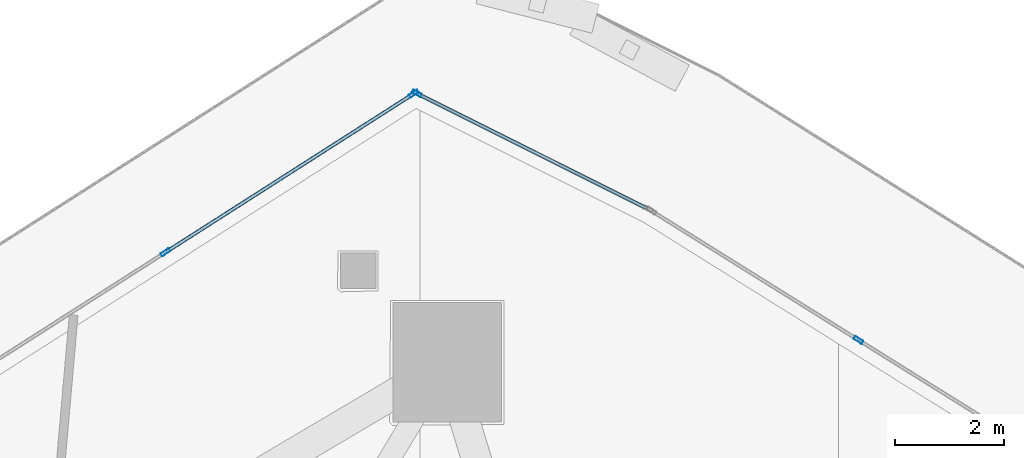
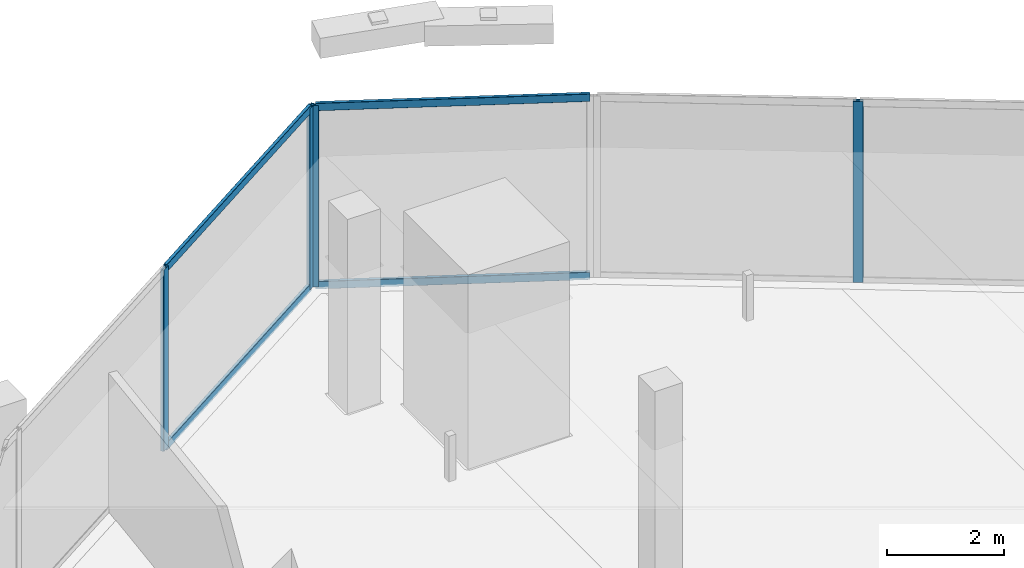
# One storey, part 22 of 38: 8 members, 3 elements without a shape of their own.
"""IFC4 building model written with IfcOpenShell, lengths in metres."""

import ifcopenshell
import ifcopenshell.guid

model = None  # the IFC model being written
_history = None  # IfcOwnerHistory: only IFC2X3 demands one
_inside = {}  # id of a spatial element -> (the spatial element, [elements in it])
_under = {}  # id of a project, library or spatial element -> (it, [spatial elements below it])
_declared = {}  # id of a project -> (the project, [libraries it declares])
_typed = {}  # id of a type object -> (the type object, [elements of that type])
_made_of = {}  # id of a material, layer set ... -> (it, [elements and type objects made of it])


def new_model(schema):
    """Start an empty IFC model of exactly this schema.

    Asked for "IFC4X3", IfcOpenShell would pick the latest addendum, in which some entities
    have other attributes; the version numbers below select the first issue.
    IFC2X3 requires an IfcOwnerHistory on every rooted entity: one is made here for all.
    """
    global model, _history
    if schema == "IFC4X3":
        model = ifcopenshell.file(schema_version=(4, 3, 0, 0))
    else:
        model = ifcopenshell.file(schema=schema)
    _inside.clear()
    _under.clear()
    _declared.clear()
    _typed.clear()
    _made_of.clear()
    _history = None
    if model.schema == "IFC2X3":
        org = make("IfcOrganization", Name="unknown")
        user = make(
            "IfcPersonAndOrganization",
            ThePerson=make("IfcPerson", FamilyName="unknown"),
            TheOrganization=org,
        )
        app = make(
            "IfcApplication",
            ApplicationDeveloper=org,
            Version="unknown",
            ApplicationFullName="unknown",
            ApplicationIdentifier="unknown",
        )
        _history = make(
            "IfcOwnerHistory",
            OwningUser=user,
            OwningApplication=app,
            ChangeAction="ADDED",
            CreationDate=0,
        )
    return model


def make(cls, **values):
    """One entity of the class cls with the attributes given. An attribute that is None is left unset."""
    return model.create_entity(
        cls, **{name: value for name, value in values.items() if value is not None}
    )


def rooted(cls, **values):
    """An entity with a GlobalId (a new one), such as an element, a storey or a relation."""
    return make(cls, GlobalId=ifcopenshell.guid.new(), OwnerHistory=_history, **values)


def si_unit(unit_type, name, prefix=None):
    """IfcSIUnit, for example si_unit("LENGTHUNIT", "METRE", prefix="MILLI")."""
    return make("IfcSIUnit", UnitType=unit_type, Prefix=prefix, Name=name)


def assignment(units):
    """IfcUnitAssignment: the units of a project."""
    return None if units is None else make("IfcUnitAssignment", Units=units)


def point(xyz):
    """IfcCartesianPoint."""
    return None if xyz is None else make("IfcCartesianPoint", Coordinates=xyz)


def direction(xyz):
    """IfcDirection."""
    return None if xyz is None else make("IfcDirection", DirectionRatios=xyz)


def frame(location, z_axis=None, x_axis=None):
    """IfcAxis2Placement3D, a coordinate frame: its origin and axes. An axis left out is left unset."""
    return make(
        "IfcAxis2Placement3D",
        Location=point(location),
        Axis=direction(z_axis),
        RefDirection=direction(x_axis),
    )


def frame_2d(location, x_axis=None):
    """IfcAxis2Placement2D, a coordinate frame in the plane: its origin and x axis."""
    return make(
        "IfcAxis2Placement2D", Location=point(location), RefDirection=direction(x_axis)
    )


def origin():
    """The frame at (0, 0, 0) with its axes left unset."""
    return frame((0.0, 0.0, 0.0))


def origin_2d():
    """The frame at (0, 0) in the plane with its x axis left unset."""
    return frame_2d((0.0, 0.0))


def place(relative_to, where):
    """IfcLocalPlacement: puts the frame where relative to a parent placement (None: the world)."""
    return make(
        "IfcLocalPlacement", PlacementRelTo=relative_to, RelativePlacement=where
    )


def context(
    kind, dimensions, precision=None, world=None, true_north=None, identifier=None
):
    """IfcGeometricRepresentationContext, for example the 3D "Model" context."""
    return make(
        "IfcGeometricRepresentationContext",
        ContextIdentifier=identifier,
        ContextType=kind,
        CoordinateSpaceDimension=dimensions,
        Precision=precision,
        WorldCoordinateSystem=world,
        TrueNorth=true_north,
    )


def subcontext(parent, identifier, kind, view, scale=None):
    """IfcGeometricRepresentationSubContext, for example "Body" below "Model"."""
    return make(
        "IfcGeometricRepresentationSubContext",
        ContextIdentifier=identifier,
        ContextType=kind,
        ParentContext=parent,
        TargetScale=scale,
        TargetView=view,
    )


def project(units=None, contexts=None):
    """IfcProject with its units and contexts."""
    return rooted(
        "IfcProject",
        Name="project",
        RepresentationContexts=contexts,
        UnitsInContext=assignment(units),
    )


def spatial(cls, under=None, at=None, **own):
    """A site, building, storey or space (cls), placed at a placement, below another one or the project."""
    s = rooted(cls, ObjectPlacement=at, **own)
    if under is not None:
        _under.setdefault(under.id(), (under, []))[1].append(s)
    return s


def profile(cls, at=None, kind="AREA", **sizes):
    """A parametric profile (cls). Its sizes go by their IFC names, for example OverallWidth=200.0."""
    return make(cls, ProfileType=kind, Position=at, **sizes)


def hollow_rectangle(**sizes):
    """IfcRectangleHollowProfileDef."""
    return profile("IfcRectangleHollowProfileDef", **sizes)


def extrude(swept, where, along, depth):
    """IfcExtrudedAreaSolid: the profile swept, set in the frame where, extruded along a direction by depth."""
    return make(
        "IfcExtrudedAreaSolid",
        SweptArea=swept,
        Position=where,
        ExtrudedDirection=direction(along),
        Depth=depth,
    )


def shape(context_of_items, identifier, shape_type, items):
    """IfcShapeRepresentation: the items that make up one representation, for example the "Body"."""
    return make(
        "IfcShapeRepresentation",
        ContextOfItems=context_of_items,
        RepresentationIdentifier=identifier,
        RepresentationType=shape_type,
        Items=items,
    )


def material(Name=None, Category=None):
    """IfcMaterial."""
    return make("IfcMaterial", Name=Name, Category=Category)


def layer(
    of_material, thickness, ventilated=None, Name=None, Category=None, Priority=None
):
    """IfcMaterialLayer: one layer of a wall or slab, of a material (None: an air gap)."""
    return make(
        "IfcMaterialLayer",
        Material=of_material,
        LayerThickness=thickness,
        IsVentilated=ventilated,
        Name=Name,
        Category=Category,
        Priority=Priority,
    )


def layer_set(layers, Name=None):
    """IfcMaterialLayerSet."""
    return make("IfcMaterialLayerSet", MaterialLayers=layers, LayerSetName=Name)


def material_profile(
    of_material, cross_section, Name=None, Category=None, Priority=None
):
    """IfcMaterialProfile: a cross section and its material."""
    return make(
        "IfcMaterialProfile",
        Name=Name,
        Material=of_material,
        Profile=cross_section,
        Priority=Priority,
        Category=Category,
    )


def profile_set(profiles, Name=None, composite=None):
    """IfcMaterialProfileSet."""
    return make(
        "IfcMaterialProfileSet",
        Name=Name,
        MaterialProfiles=profiles,
        CompositeProfile=composite,
    )


def made_of(thing, what):
    """Note that an element or type object is made of a material, layer set ...; save() writes the relation."""
    if what is not None:
        _made_of.setdefault(what.id(), (what, []))[1].append(thing)
    return thing


def type_object(cls, material=None, **own):
    """A type object (cls), such as IfcWallType, which elements share."""
    return made_of(rooted(cls, **own), material)


def element(
    cls,
    number,
    at=None,
    inside=None,
    cuts=None,
    type_object=None,
    material=None,
    context=None,
    identifier="Body",
    shape_type=None,
    held_by="IfcProductDefinitionShape",
    body=None,
    shapes=None,
    **own,
):
    """One element of the class cls, such as IfcWall. Its Tag is "e" and its number.

    at: its placement. inside: the storey or other place that contains it. cuts: it is an
    opening in that element (IfcRelVoidsElement). A single representation is given by context,
    identifier, shape_type and body (its items); several are given by shapes. held_by: the class
    of the entity that holds the representations. save() writes the other relations.
    """
    e = rooted(cls, Tag="e%d" % number, ObjectPlacement=at, **own)
    if body is not None:
        shapes = [shape(context, identifier, shape_type, body)]
    if shapes is not None:
        e.Representation = make(held_by, Representations=shapes)
    if inside is not None:
        _inside.setdefault(inside.id(), (inside, []))[1].append(e)
    if cuts is not None:
        rooted(
            "IfcRelVoidsElement", RelatingBuildingElement=cuts, RelatedOpeningElement=e
        )
    if type_object is not None:
        _typed.setdefault(type_object.id(), (type_object, []))[1].append(e)
    return made_of(e, material)


def aggregate(whole, parts):
    """IfcRelAggregates: a whole, such as a stair, and the parts it consists of."""
    return rooted("IfcRelAggregates", RelatingObject=whole, RelatedObjects=parts)


def save(model, path):
    """Write the relations noted so far, then the file.

    IfcRelAggregates (storeys below a building ...), IfcRelContainedInSpatialStructure (elements
    in a storey), IfcRelDefinesByType, IfcRelAssociatesMaterial and IfcRelDeclares: one each for
    every whole, place, type object, material and project.
    """
    for whole, parts in _under.values():
        aggregate(whole, parts)
    for where, things in _inside.values():
        rooted(
            "IfcRelContainedInSpatialStructure",
            RelatedElements=things,
            RelatingStructure=where,
        )
    for kind, things in _typed.values():
        rooted("IfcRelDefinesByType", RelatedObjects=things, RelatingType=kind)
    for what, things in _made_of.values():
        rooted("IfcRelAssociatesMaterial", RelatedObjects=things, RelatingMaterial=what)
    for by, libraries in _declared.values():
        rooted("IfcRelDeclares", RelatingContext=by, RelatedDefinitions=libraries)
    model.write(path)


model = new_model("IFC4")

# Units and contexts
model_context = context("Model", 3, precision=1e-05, world=origin(), true_north=direction((0.0, 1.0)))
body_context = subcontext(model_context, "Body", "Model", "MODEL_VIEW")
ifc_project = project(units=[si_unit("LENGTHUNIT", "METRE"), si_unit("AREAUNIT", "SQUARE_METRE"), si_unit("VOLUMEUNIT", "CUBIC_METRE"), si_unit("PLANEANGLEUNIT", "RADIAN"), si_unit("MASSUNIT", "GRAM", prefix="KILO")], contexts=[model_context])

# Site, building, storey
site_placement = place(None, origin())
site = spatial("IfcSite", under=ifc_project, at=site_placement, CompositionType="ELEMENT")
building_placement = place(site_placement, origin())
building = spatial("IfcBuilding", under=site, at=building_placement, Name="Qorvath Tower", CompositionType="ELEMENT")
storey_placement = place(building_placement, frame((0.0, 0.0, 134.10009765625)))
storey = spatial("IfcBuildingStorey", under=building, at=storey_placement, Name="L30", CompositionType="ELEMENT", Elevation=134.10009765625)

# Curtain wall, member
ifc_material_1 = material(Name="Anodised aluminium and triple low-E glass", Category="aluminium")
ifc_layer = layer(ifc_material_1, 0.179931640625)
ifc_layer_set = layer_set([ifc_layer], Name="CW-SYS-3")
curtain_wall_type = type_object("IfcCurtainWallType", Name="CW-SYS-3", PredefinedType="NOTDEFINED", material=ifc_layer_set)
curtain_wall_1_placement = place(storey_placement, origin())
curtain_wall_1 = element("IfcCurtainWall", 1, at=curtain_wall_1_placement, inside=storey, type_object=curtain_wall_type, Name="Curtain Wall CW-3 CW-T-L30-14.1", PredefinedType="NOTDEFINED")
ifc_material_2 = material(Name="Anodised aluminium 6063-T6", Category="aluminium")
ifc_material_profile_1 = material_profile(ifc_material_2, hollow_rectangle(XDim=0.06494140625, YDim=0.179931640625, WallThickness=0.00341796875, InnerFilletRadius=0.00341796875, OuterFilletRadius=0.007080078125, at=origin_2d()), Name="CWM 180x65")
ifc_profile_set_1 = profile_set([ifc_material_profile_1], Name="Anodised aluminium 6063-T6")
member_type_1 = type_object("IfcMemberType", Name="CWM-180", PredefinedType="MULLION", material=ifc_profile_set_1)
member_1_placement = place(storey_placement, frame((-7.781494140625, 25.656982421875, 0.0), z_axis=(0.0, 0.0, 1.0), x_axis=(-0.529439947431, -0.848347418258, 0.0)))
member_1 = element("IfcMember", 2, at=member_1_placement, type_object=member_type_1, Name="CW-3 mullion 2", PredefinedType="MULLION", context=body_context, shape_type="SweptSolid", body=[
    extrude(hollow_rectangle(XDim=0.06494140625, YDim=0.179931640625, WallThickness=0.00341796875, InnerFilletRadius=0.00341796875, OuterFilletRadius=0.007080078125, at=origin_2d()), origin(), (0.0, 0.0, 1.0), 3.77978515625),
])
aggregate(curtain_wall_1, [member_1])

curtain_wall_2_placement = place(storey_placement, origin())
curtain_wall_2 = element("IfcCurtainWall", 3, at=curtain_wall_2_placement, inside=storey, type_object=curtain_wall_type, Name="Curtain Wall CW-3 CW-T-L30-15.1", PredefinedType="NOTDEFINED")
member_2_placement = place(storey_placement, frame((-15.90185546875, 30.19287109375, 0.0), z_axis=(0.0, 0.0, 1.0), x_axis=(-0.447213595499, -0.894427191001, 0.0)))
member_2 = element("IfcMember", 4, at=member_2_placement, type_object=member_type_1, Name="CW-3 mullion 2", PredefinedType="MULLION", context=body_context, shape_type="SweptSolid", body=[
    extrude(hollow_rectangle(XDim=0.06494140625, YDim=0.179931640625, WallThickness=0.00341796875, InnerFilletRadius=0.00341796875, OuterFilletRadius=0.007080078125, at=origin_2d()), origin(), (0.0, 0.0, 1.0), 3.77978515625),
])

# Curtain wall, members
curtain_wall_3_placement = place(storey_placement, origin())
curtain_wall_3 = element("IfcCurtainWall", 5, at=curtain_wall_3_placement, inside=storey, type_object=curtain_wall_type, Name="Curtain Wall CW-3 CW-T-L30-16.1", PredefinedType="NOTDEFINED")
member_3_placement = place(storey_placement, frame((-15.958251953125, 30.18994140625, 0.0), z_axis=(0.0, 0.0, 1.0), x_axis=(0.538534399095, -0.842603525385, 0.0)))
member_3 = element("IfcMember", 6, at=member_3_placement, type_object=member_type_1, Name="CW-3 mullion 1", PredefinedType="MULLION", context=body_context, shape_type="SweptSolid", body=[
    extrude(hollow_rectangle(XDim=0.06494140625, YDim=0.179931640625, WallThickness=0.00341796875, InnerFilletRadius=0.00341796875, OuterFilletRadius=0.007080078125, at=origin_2d()), origin(), (0.0, 0.0, 1.0), 3.77978515625),
])
member_4_placement = place(storey_placement, frame((-20.52587890625, 27.270751953125, 0.0), z_axis=(0.0, 0.0, 1.0), x_axis=(0.538534399095, -0.842603525385, 0.0)))
member_4 = element("IfcMember", 7, at=member_4_placement, type_object=member_type_1, Name="CW-3 mullion 2", PredefinedType="MULLION", context=body_context, shape_type="SweptSolid", body=[
    extrude(hollow_rectangle(XDim=0.06494140625, YDim=0.179931640625, WallThickness=0.00341796875, InnerFilletRadius=0.00341796875, OuterFilletRadius=0.007080078125, at=origin_2d()), origin(), (0.0, 0.0, 1.0), 3.77978515625),
])

# Member
ifc_material_3 = material(Name="Anodised aluminium 6063-T6", Category="aluminium")
ifc_material_profile_2 = material_profile(ifc_material_3, hollow_rectangle(XDim=0.06494140625, YDim=0.159912109375, WallThickness=0.00341796875, InnerFilletRadius=0.00341796875, OuterFilletRadius=0.007080078125, at=origin_2d()), Name="CWT 160x65")
ifc_profile_set_2 = profile_set([ifc_material_profile_2], Name="Anodised aluminium 6063-T6")
member_type_2 = type_object("IfcMemberType", Name="CWT-160", PredefinedType="USERDEFINED", material=ifc_profile_set_2)
member_5_placement = place(storey_placement, frame((-11.673583984375, 28.078857421875, 0.032470703125), z_axis=(-0.894427191, 0.4472135955, 0.0), x_axis=(-0.4472135955, -0.894427191, 0.0)))
member_5 = element("IfcMember", 8, at=member_5_placement, type_object=member_type_2, Name="CW-3 transom 1.1", ObjectType="TRANSOM", PredefinedType="USERDEFINED", context=body_context, shape_type="SweptSolid", body=[
    extrude(hollow_rectangle(XDim=0.06494140625, YDim=0.159912109375, WallThickness=0.00341796875, InnerFilletRadius=0.00341796875, OuterFilletRadius=0.007080078125, at=origin_2d()), origin(), (0.0, 0.0, 1.0), 4.69482421875),
])

member_6_placement = place(storey_placement, frame((-11.673583984375, 28.078857421875, 3.747314453125), z_axis=(-0.894427191, 0.4472135955, 0.0), x_axis=(-0.4472135955, -0.894427191, 0.0)))
member_6 = element("IfcMember", 9, at=member_6_placement, type_object=member_type_2, Name="CW-3 transom 1.2", ObjectType="TRANSOM", PredefinedType="USERDEFINED", context=body_context, shape_type="SweptSolid", body=[
    extrude(hollow_rectangle(XDim=0.06494140625, YDim=0.159912109375, WallThickness=0.00341796875, InnerFilletRadius=0.00341796875, OuterFilletRadius=0.007080078125, at=origin_2d()), origin(), (0.0, 0.0, 1.0), 4.69482421875),
])

aggregate(curtain_wall_2, [member_2, member_5, member_6])

member_7_placement = place(storey_placement, frame((-15.985595703125, 30.172607421875, 0.032470703125), z_axis=(-0.842589967804, -0.538555611015, 0.0), x_axis=(0.538555611015, -0.842589967804, 0.0)))
member_7 = element("IfcMember", 10, at=member_7_placement, type_object=member_type_2, Name="CW-3 transom 1.1", ObjectType="TRANSOM", PredefinedType="USERDEFINED", context=body_context, shape_type="SweptSolid", body=[
    extrude(hollow_rectangle(XDim=0.06494140625, YDim=0.159912109375, WallThickness=0.00341796875, InnerFilletRadius=0.00341796875, OuterFilletRadius=0.007080078125, at=origin_2d()), origin(), (0.0, 0.0, 1.0), 5.35595703125),
])

member_8_placement = place(storey_placement, frame((-15.985595703125, 30.172607421875, 3.747314453125), z_axis=(-0.842589967804, -0.538555611015, 0.0), x_axis=(0.538555611015, -0.842589967804, 0.0)))
member_8 = element("IfcMember", 11, at=member_8_placement, type_object=member_type_2, Name="CW-3 transom 1.2", ObjectType="TRANSOM", PredefinedType="USERDEFINED", context=body_context, shape_type="SweptSolid", body=[
    extrude(hollow_rectangle(XDim=0.06494140625, YDim=0.159912109375, WallThickness=0.00341796875, InnerFilletRadius=0.00341796875, OuterFilletRadius=0.007080078125, at=origin_2d()), origin(), (0.0, 0.0, 1.0), 5.35595703125),
])

aggregate(curtain_wall_3, [member_3, member_4, member_7, member_8])

save(model, "model.ifc")
